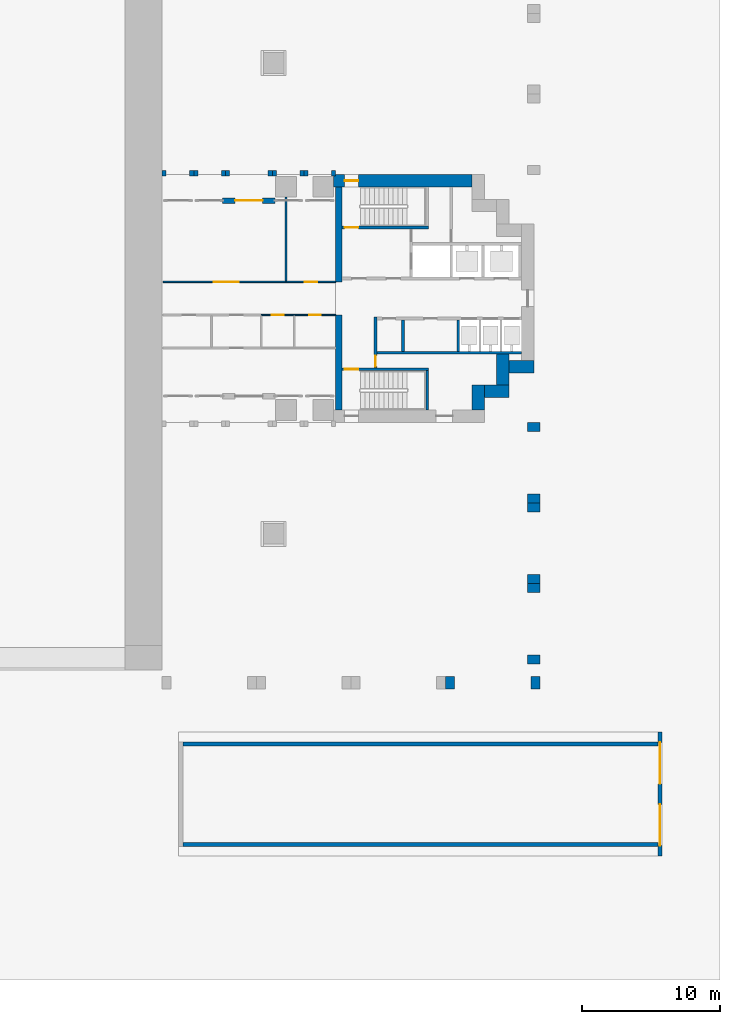
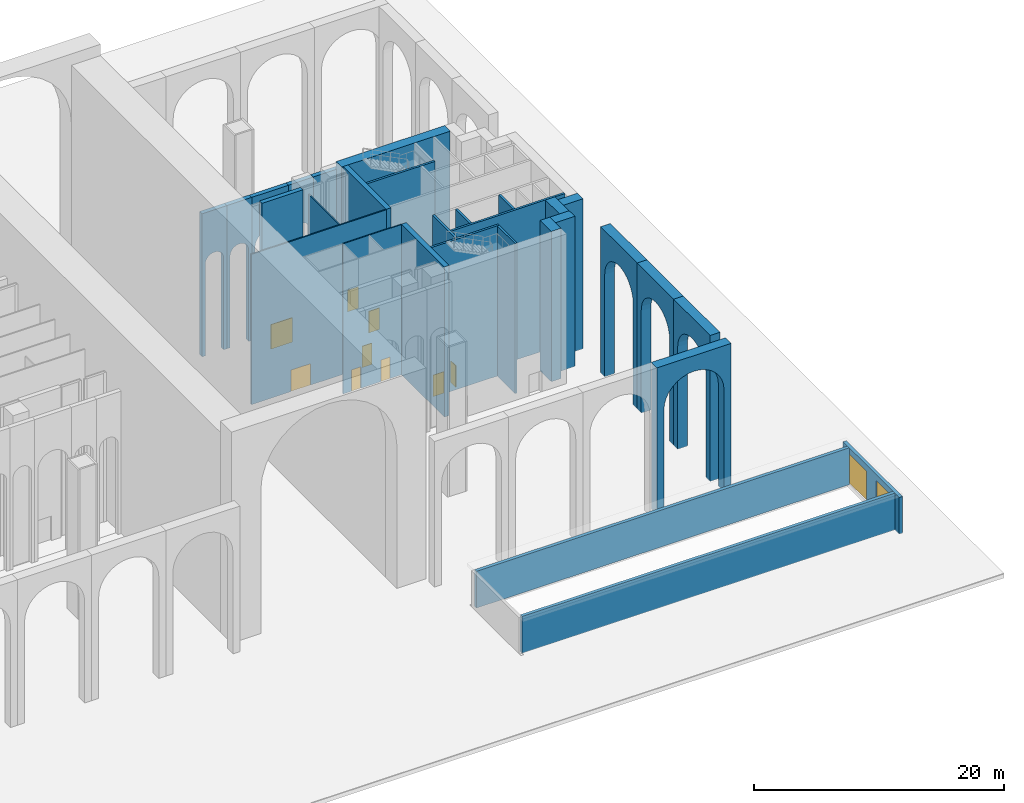
# One storey, part 8 of 18: 30 walls, 11 doors, 11 openings.
"""IFC4 building model written with IfcOpenShell, lengths in metres."""

from ifc_helpers import new_model, si_unit, direction, frame, frame_2d, origin, place, context, subcontext, project, spatial, polyline, rectangle, outline, extrude, material, layer, layer_set, type_object, element, fill, save


model = new_model("IFC4")

# Units and contexts
model_context = context("Model", 3, precision=1e-05, world=origin(), true_north=direction((0.0, 1.0)))
body_context = subcontext(model_context, "Body", "Model", "MODEL_VIEW")
ifc_project = project(units=[si_unit("LENGTHUNIT", "METRE"), si_unit("AREAUNIT", "SQUARE_METRE"), si_unit("VOLUMEUNIT", "CUBIC_METRE"), si_unit("PLANEANGLEUNIT", "RADIAN"), si_unit("MASSUNIT", "GRAM", prefix="KILO")], contexts=[model_context])

# Site, building, storey
site_placement = place(None, origin())
site = spatial("IfcSite", under=ifc_project, at=site_placement, CompositionType="ELEMENT")
building_placement = place(site_placement, origin())
building = spatial("IfcBuilding", under=site, at=building_placement, Name="Perihelion Cross Residences", CompositionType="ELEMENT")
storey_placement = place(building_placement, origin())
storey = spatial("IfcBuildingStorey", under=building, at=storey_placement, Name="L00", CompositionType="ELEMENT", Elevation=0.0)

# Walls
ifc_material_1 = material(Name="Concrete C40/50, bronze-clad", Category="concrete")
ifc_layer_1 = layer(ifc_material_1, 0.39990234375)
ifc_layer_set_1 = layer_set([ifc_layer_1], Name="Arcade wall 400, arched bay")
wall_type_1 = type_object("IfcWallType", Name="Arcade wall 400, arched bay", PredefinedType="SOLIDWALL", material=ifc_layer_set_1)
for number, where, z_axis, x_axis, name in (
    (1, (21.60009765625, 8.89990234375, 0.0), (0.0, 1.0, 0.0), (-1.0, 0.0, 0.0), "Wall AR1 L00 arcade east bay 1 no. 1"),
    (2, (19.300048828125, 8.89990234375, 0.0), (0.0, 1.0, 0.0), (-1.0, 0.0, 0.0), "Wall AR1 L00 arcade east bay 2 no. 1"),
):
    element("IfcWall", number, at=place(storey_placement, frame(where, z_axis=z_axis, x_axis=x_axis)), inside=storey, type_object=wall_type_1, Name=name, PredefinedType="SOLIDWALL", context=body_context, shape_type="SweptSolid", body=[
        extrude(outline(polyline([(0.0, 0.0), (0.300048828125, 0.0), (0.300048828125, 9.0), (0.31640625, 9.165771484375), (0.36474609375, 9.3251953125), (0.443359375, 9.47216796875), (0.549072265625, 9.60107421875), (0.677734375, 9.706787109375), (0.82470703125, 9.785400390625), (0.984130859375, 9.833740234375), (1.14990234375, 9.85009765625), (1.31591796875, 9.833740234375), (1.475341796875, 9.785400390625), (1.622314453125, 9.706787109375), (1.7509765625, 9.60107421875), (1.856689453125, 9.47216796875), (1.935302734375, 9.3251953125), (1.983642578125, 9.165771484375), (2.0, 9.0), (2.0, 0.0), (2.300048828125, 0.0), (2.300048828125, 14.0), (0.0, 14.0), (0.0, 0.0)])), origin(), (0.0, 0.0, 1.0), 0.400146484375),
    ])
wall_1_placement = place(storey_placement, frame((17.0, 8.89990234375, 0.0), z_axis=(0.0, 1.0, 0.0), x_axis=(-1.0, 0.0, 0.0)))
element("IfcWall", 3, at=wall_1_placement, inside=storey, type_object=wall_type_1, Name="Wall AR1 L00 arcade east bay 3 no. 1", PredefinedType="SOLIDWALL", context=body_context, shape_type="SweptSolid", body=[
    extrude(outline(polyline([(0.0, 0.0), (0.300048828125, 0.0), (0.300048828125, 9.0), (0.326904296875, 9.273193359375), (0.406494140625, 9.53564453125), (0.535888671875, 9.77783203125), (0.7099609375, 9.989990234375), (0.922119140625, 10.1640625), (1.164306640625, 10.29345703125), (1.4267578125, 10.373046875), (1.699951171875, 10.39990234375), (1.97314453125, 10.373046875), (2.23583984375, 10.29345703125), (2.477783203125, 10.1640625), (2.68994140625, 9.989990234375), (2.864013671875, 9.77783203125), (2.993408203125, 9.53564453125), (3.072998046875, 9.273193359375), (3.10009765625, 9.0), (3.10009765625, 0.0), (3.39990234375, 0.0), (3.39990234375, 14.0), (0.0, 14.0), (0.0, 0.0)])), origin(), (0.0, 0.0, 1.0), 0.400146484375),
])
for number, where, z_axis, x_axis, name in (
    (4, (13.60009765625, 8.89990234375, 0.0), (0.0, 1.0, 0.0), (-1.0, 0.0, 0.0), "Wall AR1 L00 arcade east bay 4 no. 1"),
    (5, (11.300048828125, 8.89990234375, 0.0), (0.0, 1.0, 0.0), (-1.0, 0.0, 0.0), "Wall AR1 L00 arcade east bay 5 no. 1"),
):
    element("IfcWall", number, at=place(storey_placement, frame(where, z_axis=z_axis, x_axis=x_axis)), inside=storey, type_object=wall_type_1, Name=name, PredefinedType="SOLIDWALL", context=body_context, shape_type="SweptSolid", body=[
        extrude(outline(polyline([(0.0, 0.0), (0.300048828125, 0.0), (0.300048828125, 9.0), (0.31640625, 9.165771484375), (0.36474609375, 9.3251953125), (0.443359375, 9.47216796875), (0.549072265625, 9.60107421875), (0.677734375, 9.706787109375), (0.82470703125, 9.785400390625), (0.984130859375, 9.833740234375), (1.14990234375, 9.85009765625), (1.31591796875, 9.833740234375), (1.475341796875, 9.785400390625), (1.622314453125, 9.706787109375), (1.7509765625, 9.60107421875), (1.856689453125, 9.47216796875), (1.935302734375, 9.3251953125), (1.983642578125, 9.165771484375), (2.0, 9.0), (2.0, 0.0), (2.300048828125, 0.0), (2.300048828125, 14.0), (0.0, 14.0), (0.0, 0.0)])), origin(), (0.0, 0.0, 1.0), 0.400146484375),
    ])
ifc_material_2 = material(Name="Concrete C60/75", Category="concrete")
ifc_layer_2 = layer(ifc_material_2, 0.449951171875)
ifc_layer_set_2 = layer_set([ifc_layer_2], Name="Core wall, inner 450")
wall_type_2 = type_object("IfcWallType", Name="Core wall, inner 450", PredefinedType="SHEAR", material=ifc_layer_set_2)
for number, where, z_axis, x_axis, name in (
    (6, (21.824951171875, -8.10009765625, 0.0), (0.0, 0.0, 1.0), (0.0, 1.0, 0.0), "East core core wall, inner"),
    (7, (21.824951171875, 1.199951171875, 0.0), (0.0, 0.0, 1.0), (0.0, 1.0, 0.0), "East core core wall, inner"),
):
    element("IfcWall", number, at=place(storey_placement, frame(where, z_axis=z_axis, x_axis=x_axis)), inside=storey, type_object=wall_type_2, Name=name, PredefinedType="SHEAR", context=body_context, shape_type="SweptSolid", body=[
        extrude(rectangle(XDim=6.900146484375, YDim=0.449951171875, at=frame_2d((3.4501953125, 0.0))), origin(), (0.0, 0.0, 1.0), 14.699951171875),
    ])
ifc_material_3 = material(Name="Concrete C60/75", Category="concrete")
ifc_layer_3 = layer(ifc_material_3, 0.89990234375)
ifc_layer_set_3 = layer_set([ifc_layer_3], Name="Core wall, outer 900")
wall_type_3 = type_object("IfcWallType", Name="Core wall, outer 900", PredefinedType="SHEAR", material=ifc_layer_set_3)
for number, where, z_axis, x_axis, name in (
    (8, (31.949951171875, -8.10009765625, 0.0), (0.0, 0.0, 1.0), (0.0, 1.0, 0.0), "East core core wall, outer"),
    (9, (32.39990234375, -6.75, 0.0), (0.0, 0.0, 1.0), (1.0, 0.0, 0.0), "East core core wall, outer"),
):
    element("IfcWall", number, at=place(storey_placement, frame(where, z_axis=z_axis, x_axis=x_axis)), inside=storey, type_object=wall_type_3, Name=name, PredefinedType="SHEAR", context=body_context, shape_type="SweptSolid", body=[
        extrude(rectangle(XDim=1.800048828125, YDim=0.89990234375, at=frame_2d((0.89990234375, 0.0))), origin(), (0.0, 0.0, 1.0), 14.699951171875),
    ])
wall_2_placement = place(storey_placement, frame((33.75, -6.300048828125, 0.0), z_axis=(0.0, 0.0, 1.0), x_axis=(0.0, 1.0, 0.0)))
element("IfcWall", 10, at=wall_2_placement, inside=storey, type_object=wall_type_3, Name="East core core wall, outer", PredefinedType="SHEAR", context=body_context, shape_type="SweptSolid", body=[
    extrude(rectangle(XDim=2.25, YDim=0.89990234375, at=frame_2d((1.125, 0.0))), origin(), (0.0, 0.0, 1.0), 14.699951171875),
])
wall_3_placement = place(storey_placement, frame((34.199951171875, -4.949951171875, 0.0), z_axis=(0.0, 0.0, 1.0), x_axis=(1.0, 0.0, 0.0)))
element("IfcWall", 11, at=wall_3_placement, inside=storey, type_object=wall_type_3, Name="East core core wall, outer", PredefinedType="SHEAR", context=body_context, shape_type="SweptSolid", body=[
    extrude(rectangle(XDim=1.800048828125, YDim=0.89990234375, at=frame_2d((0.89990234375, 0.0))), origin(), (0.0, 0.0, 1.0), 14.699951171875),
])

# Wall, opening, door
wall_4_placement = place(storey_placement, frame((21.449951171875, 8.550048828125, 0.0), z_axis=(0.0, 0.0, 1.0), x_axis=(1.0, 0.0, 0.0)))
wall_4 = element("IfcWall", 12, at=wall_4_placement, inside=storey, type_object=wall_type_3, Name="East core core wall, outer", PredefinedType="SHEAR", context=body_context, shape_type="SweptSolid", body=[
    extrude(rectangle(XDim=10.050048828125, YDim=0.89990234375, at=frame_2d((5.02490234375, 0.0))), origin(), (0.0, 0.0, 1.0), 14.699951171875),
])
opening_1_placement = place(wall_4_placement, frame((0.800048828125, 0.0, 0.0)))
opening_1 = element("IfcOpeningElement", 13, at=opening_1_placement, cuts=wall_4, Name="Opening L00.C10", PredefinedType="OPENING", context=body_context, shape_type="SweptSolid", body=[
    extrude(rectangle(XDim=1.0, YDim=2.10009765625, at=frame_2d((0.5, 1.050048828125))), frame((0.0, 0.4599609375, 0.0), z_axis=(0.0, -1.0, 0.0), x_axis=(1.0, 0.0, 0.0)), (0.0, 0.0, 1.0), 0.919921875),
])
ifc_material_4 = material(Name="Steel, powder coated", Category="steel")
door_type_1 = type_object("IfcDoorType", Name="Stair exit door 1000", OperationType="SINGLE_SWING_LEFT", PredefinedType="DOOR", material=ifc_material_4)
door_1_placement = place(opening_1_placement, origin())
door_1 = element("IfcDoor", 14, at=door_1_placement, inside=storey, type_object=door_type_1, Name="East core stair exit door", OperationType="SINGLE_SWING_LEFT", OverallHeight=2.10009765625, OverallWidth=1.0, PredefinedType="DOOR", context=body_context, shape_type="SweptSolid", body=[
    extrude(rectangle(XDim=1.0, YDim=2.10009765625, at=frame_2d((0.5, 1.050048828125))), frame((0.0, 0.02490234375, 0.0), z_axis=(0.0, -1.0, 0.0), x_axis=(1.0, 0.0, 0.0)), (0.0, 0.0, 1.0), 0.050048828125),
])
fill(opening_1, door_1)

ifc_material_5 = material(Name="Concrete C40/50, bronze-clad", Category="concrete")
ifc_layer_4 = layer(ifc_material_5, 0.39990234375)
ifc_layer_set_4 = layer_set([ifc_layer_4], Name="Entrance portal wall 400")
wall_type_4 = type_object("IfcWallType", Name="Entrance portal wall 400", PredefinedType="SOLIDWALL", material=ifc_layer_set_4)
wall_5_placement = place(storey_placement, frame((17.199951171875, 7.10009765625, 0.0), z_axis=(0.0, 0.0, 1.0), x_axis=(-1.0, 0.0, 0.0)))
wall_5 = element("IfcWall", 15, at=wall_5_placement, inside=storey, type_object=wall_type_4, Name="Wall FW3 L00 arcade east bay 3 portal no. 1", PredefinedType="SOLIDWALL", context=body_context, shape_type="SweptSolid", body=[
    extrude(rectangle(XDim=3.800048828125, YDim=0.39990234375, at=frame_2d((1.89990234375, 0.0))), origin(), (0.0, 0.0, 1.0), 14.699951171875),
])
opening_2_placement = place(wall_5_placement, frame((0.89990234375, 0.0, 0.0)))
opening_2 = element("IfcOpeningElement", 16, at=opening_2_placement, cuts=wall_5, Name="Opening L00.E01", PredefinedType="OPENING", context=body_context, shape_type="SweptSolid", body=[
    extrude(rectangle(XDim=2.0, YDim=2.39990234375, at=frame_2d((1.0, 1.199951171875))), frame((0.0, 0.2099609375, 0.0), z_axis=(0.0, -1.0, 0.0), x_axis=(1.0, 0.0, 0.0)), (0.0, 0.0, 1.0), 0.419921875),
])
ifc_material_6 = material(Name="Bronze anodised aluminium, glazed", Category="aluminium")
door_type_2 = type_object("IfcDoorType", Name="Entrance door pair 2000 x 2400", OperationType="NOTDEFINED", PredefinedType="DOOR", material=ifc_material_6)
door_2_placement = place(opening_2_placement, origin())
door_2 = element("IfcDoor", 17, at=door_2_placement, inside=storey, type_object=door_type_2, Name="Door L00.E01 arcade east bay 3 entrance no. 1", OperationType="DOUBLE_DOOR_SINGLE_SWING", OverallHeight=2.39990234375, OverallWidth=2.0, PredefinedType="DOOR", context=body_context, shape_type="SweptSolid", body=[
    extrude(rectangle(XDim=2.0, YDim=2.39990234375, at=frame_2d((1.0, 1.199951171875))), frame((0.0, 0.02490234375, 0.0), z_axis=(0.0, -1.0, 0.0), x_axis=(1.0, 0.0, 0.0)), (0.0, 0.0, 1.0), 0.050048828125),
])
fill(opening_2, door_2)

# Wall, openings, doors
ifc_material_7 = material(Name="Concrete C40/50", Category="concrete")
ifc_layer_5 = layer(ifc_material_7, 0.300048828125)
ifc_layer_set_5 = layer_set([ifc_layer_5], Name="Gate wall 300")
wall_type_5 = type_object("IfcWallType", Name="Gate wall 300", PredefinedType="SOLIDWALL", material=ifc_layer_set_5)
wall_6_placement = place(storey_placement, frame((45.14990234375, -40.5, 0.0), z_axis=(0.0, 0.0, 1.0), x_axis=(0.0, 1.0, 0.0)))
wall_6 = element("IfcWall", 18, at=wall_6_placement, inside=storey, type_object=wall_type_5, Name="Vehicle gate wall", PredefinedType="SOLIDWALL", context=body_context, shape_type="SweptSolid", body=[
    extrude(rectangle(XDim=9.0, YDim=0.300048828125, at=frame_2d((4.5, 0.0))), origin(), (0.0, 0.0, 1.0), 3.60009765625),
])
opening_3_placement = place(wall_6_placement, frame((0.75, 0.0, 0.0)))
opening_3 = element("IfcOpeningElement", 19, at=opening_3_placement, cuts=wall_6, Name="Opening L00.B01", PredefinedType="OPENING", context=body_context, shape_type="SweptSolid", body=[
    extrude(rectangle(XDim=3.0, YDim=3.0, at=frame_2d((1.5, 1.5))), frame((0.0, 0.159912109375, 0.0), z_axis=(0.0, -1.0, 0.0), x_axis=(1.0, 0.0, 0.0)), (0.0, 0.0, 1.0), 0.320068359375),
])
opening_4_placement = place(wall_6_placement, frame((5.25, 0.0, 0.0)))
opening_4 = element("IfcOpeningElement", 20, at=opening_4_placement, cuts=wall_6, Name="Opening L00.B02", PredefinedType="OPENING", context=body_context, shape_type="SweptSolid", body=[
    extrude(rectangle(XDim=3.0, YDim=3.0, at=frame_2d((1.5, 1.5))), frame((0.0, 0.159912109375, 0.0), z_axis=(0.0, -1.0, 0.0), x_axis=(1.0, 0.0, 0.0)), (0.0, 0.0, 1.0), 0.320068359375),
])
ifc_material_8 = material(Name="Galvanised steel", Category="steel")
door_type_3 = type_object("IfcDoorType", Name="Rolling shutter gate 3000 x 3000", OperationType="ROLLINGUP", PredefinedType="GATE", material=ifc_material_8)
door_3_placement = place(opening_3_placement, origin())
door_3 = element("IfcDoor", 21, at=door_3_placement, inside=storey, type_object=door_type_3, Name="Vehicle gate entry", OperationType="SINGLE_SWING_LEFT", OverallHeight=3.0, OverallWidth=3.0, PredefinedType="GATE", context=body_context, shape_type="SweptSolid", body=[
    extrude(rectangle(XDim=3.0, YDim=3.0, at=frame_2d((1.5, 1.5))), frame((0.0, 0.02490234375, 0.0), z_axis=(0.0, -1.0, 0.0), x_axis=(1.0, 0.0, 0.0)), (0.0, 0.0, 1.0), 0.050048828125),
])
fill(opening_3, door_3)
door_4_placement = place(opening_4_placement, origin())
door_4 = element("IfcDoor", 22, at=door_4_placement, inside=storey, type_object=door_type_3, Name="Vehicle gate exit", OperationType="SINGLE_SWING_LEFT", OverallHeight=3.0, OverallWidth=3.0, PredefinedType="GATE", context=body_context, shape_type="SweptSolid", body=[
    extrude(rectangle(XDim=3.0, YDim=3.0, at=frame_2d((1.5, 1.5))), frame((0.0, 0.02490234375, 0.0), z_axis=(0.0, -1.0, 0.0), x_axis=(1.0, 0.0, 0.0)), (0.0, 0.0, 1.0), 0.050048828125),
])
fill(opening_4, door_4)

# Wall, opening, door
ifc_material_9 = material(Name="Concrete C50/60", Category="concrete")
ifc_layer_6 = layer(ifc_material_9, 0.199951171875)
ifc_layer_set_6 = layer_set([ifc_layer_6], Name="Lobby wall 200")
wall_type_6 = type_object("IfcWallType", Name="Lobby wall 200", PredefinedType="SOLIDWALL", material=ifc_layer_set_6)
wall_7_placement = place(storey_placement, frame((24.5, -5.050048828125, 0.0), z_axis=(0.0, 0.0, 1.0), x_axis=(0.0, 1.0, 0.0)))
wall_7 = element("IfcWall", 23, at=wall_7_placement, inside=storey, type_object=wall_type_6, Name="East core lobby wall", PredefinedType="SOLIDWALL", context=body_context, shape_type="SweptSolid", body=[
    extrude(rectangle(XDim=3.699951171875, YDim=0.199951171875, at=frame_2d((1.85009765625, 0.0))), origin(), (0.0, 0.0, 1.0), 14.699951171875),
])
opening_5_placement = place(wall_7_placement, frame((0.10009765625, 0.0, 0.0)))
opening_5 = element("IfcOpeningElement", 24, at=opening_5_placement, cuts=wall_7, Name="Opening L00.C12", PredefinedType="OPENING", context=body_context, shape_type="SweptSolid", body=[
    extrude(rectangle(XDim=0.800048828125, YDim=2.10009765625, at=frame_2d((0.39990234375, 1.050048828125))), frame((0.0, 0.10986328125, 0.0), z_axis=(0.0, -1.0, 0.0), x_axis=(1.0, 0.0, 0.0)), (0.0, 0.0, 1.0), 0.219970703125),
])
ifc_material_10 = material(Name="Steel, powder coated", Category="steel")
door_type_4 = type_object("IfcDoorType", Name="Riser door 800", OperationType="SINGLE_SWING_LEFT", PredefinedType="DOOR", material=ifc_material_10)
door_5_placement = place(opening_5_placement, origin())
door_5 = element("IfcDoor", 25, at=door_5_placement, inside=storey, type_object=door_type_4, Name="East core riser door", OperationType="SINGLE_SWING_LEFT", OverallHeight=2.10009765625, OverallWidth=0.800048828125, PredefinedType="DOOR", context=body_context, shape_type="SweptSolid", body=[
    extrude(rectangle(XDim=0.800048828125, YDim=2.10009765625, at=frame_2d((0.39990234375, 1.050048828125))), frame((0.0, 0.02490234375, 0.0), z_axis=(0.0, -1.0, 0.0), x_axis=(1.0, 0.0, 0.0)), (0.0, 0.0, 1.0), 0.050048828125),
])
fill(opening_5, door_5)

# Walls
ifc_material_11 = material(Name="Concrete C50/60", Category="concrete")
ifc_layer_7 = layer(ifc_material_11, 0.89990234375)
ifc_layer_set_7 = layer_set([ifc_layer_7], Name="Loggia arcade wall 900, arched bay")
wall_type_7 = type_object("IfcWallType", Name="Loggia arcade wall 900, arched bay", PredefinedType="SOLIDWALL", material=ifc_layer_set_7)
wall_8_placement = place(storey_placement, frame((29.58740234375, -27.449951171875, 0.0), z_axis=(0.0, -1.0, 0.0), x_axis=(1.0, 0.0, 0.0)))
element("IfcWall", 26, at=wall_8_placement, inside=storey, type_object=wall_type_7, Name="Wall AR3 L00 loggia south-east north-south bay 4", PredefinedType="SOLIDWALL", context=body_context, shape_type="SweptSolid", body=[
    extrude(outline(polyline([(0.0, 0.0), (0.64990234375, 0.0), (0.64990234375, 10.0), (0.703369140625, 10.54248046875), (0.86181640625, 11.064453125), (1.11865234375, 11.545166015625), (1.464599609375, 11.966552734375), (1.885986328125, 12.3125), (2.366943359375, 12.569580078125), (2.888671875, 12.727783203125), (3.43115234375, 12.78125), (3.973876953125, 12.727783203125), (4.49560546875, 12.569580078125), (4.976318359375, 12.3125), (5.39794921875, 11.966552734375), (5.743896484375, 11.545166015625), (6.000732421875, 11.064453125), (6.1591796875, 10.54248046875), (6.21240234375, 10.0), (6.21240234375, 0.0), (6.862548828125, 0.0), (6.862548828125, 14.300048828125), (0.0, 14.300048828125), (0.0, 0.0)])), origin(), (0.0, 0.0, 1.0), 0.900146484375),
])
for number, where, z_axis, x_axis, name in (
    (27, (35.550048828125, -26.550048828125, 0.0), (1.0, 0.0, 0.0), (0.0, 1.0, 0.0), "Wall AR3 L00 loggia south-east east-west bay 1"),
    (28, (35.550048828125, -20.699951171875, 0.0), (1.0, 0.0, 0.0), (0.0, 1.0, 0.0), "Wall AR3 L00 loggia south-east east-west bay 2"),
    (29, (35.550048828125, -14.85009765625, 0.0), (1.0, 0.0, 0.0), (0.0, 1.0, 0.0), "Wall AR3 L00 loggia south-east east-west bay 3"),
):
    element("IfcWall", number, at=place(storey_placement, frame(where, z_axis=z_axis, x_axis=x_axis)), inside=storey, type_object=wall_type_7, Name=name, PredefinedType="SOLIDWALL", context=body_context, shape_type="SweptSolid", body=[
        extrude(outline(polyline([(0.0, 0.0), (0.64990234375, 0.0), (0.64990234375, 10.0), (0.693603515625, 10.44384765625), (0.8232421875, 10.87060546875), (1.033447265625, 11.263916015625), (1.31640625, 11.608642578125), (1.6611328125, 11.8916015625), (2.054443359375, 12.101806640625), (2.481201171875, 12.231201171875), (2.925048828125, 12.27490234375), (3.368896484375, 12.231201171875), (3.795654296875, 12.101806640625), (4.18896484375, 11.8916015625), (4.53369140625, 11.608642578125), (4.816650390625, 11.263916015625), (5.02685546875, 10.87060546875), (5.15625, 10.44384765625), (5.199951171875, 10.0), (5.199951171875, 0.0), (5.85009765625, 0.0), (5.85009765625, 14.300048828125), (0.0, 14.300048828125), (0.0, 0.0)])), origin(), (0.0, 0.0, 1.0), 0.89990234375),
    ])

# Wall, openings, doors
ifc_material_12 = material(Name="Plasterboard partition")
ifc_layer_8 = layer(ifc_material_12, 0.1201171875)
ifc_layer_set_8 = layer_set([ifc_layer_8], Name="Partition wall 120")
wall_type_8 = type_object("IfcWallType", Name="Partition wall 120", PredefinedType="PARTITIONING", material=ifc_layer_set_8)
wall_9_placement = place(storey_placement, frame((9.080078125, 1.199951171875, 0.0), z_axis=(0.0, 0.0, 1.0), x_axis=(1.0, 0.0, 0.0)))
wall_9 = element("IfcWall", 30, at=wall_9_placement, inside=storey, type_object=wall_type_8, Name="Partition L00 W001", PredefinedType="PARTITIONING", context=body_context, shape_type="SweptSolid", body=[
    extrude(rectangle(XDim=12.52001953125, YDim=0.1201171875, at=frame_2d((6.260009765625, 0.0))), origin(), (0.0, 0.0, 1.0), 14.699951171875),
])
opening_6_placement = place(wall_9_placement, frame((3.669921875, 0.0, 0.0)))
opening_6 = element("IfcOpeningElement", 31, at=opening_6_placement, cuts=wall_9, Name="Opening L00.A01", PredefinedType="OPENING", context=body_context, shape_type="SweptSolid", body=[
    extrude(rectangle(XDim=1.800048828125, YDim=2.10009765625, at=frame_2d((0.89990234375, 1.050048828125))), frame((0.0, 0.070068359375, 0.0), z_axis=(0.0, -1.0, 0.0), x_axis=(1.0, 0.0, 0.0)), (0.0, 0.0, 1.0), 0.14013671875),
])
opening_7_placement = place(wall_9_placement, frame((10.27001953125, 0.0, 0.0)))
opening_7 = element("IfcOpeningElement", 32, at=opening_7_placement, cuts=wall_9, Name="Opening L00.A02", PredefinedType="OPENING", context=body_context, shape_type="SweptSolid", body=[
    extrude(rectangle(XDim=0.89990234375, YDim=2.10009765625, at=frame_2d((0.449951171875, 1.050048828125))), frame((0.0, 0.070068359375, 0.0), z_axis=(0.0, -1.0, 0.0), x_axis=(1.0, 0.0, 0.0)), (0.0, 0.0, 1.0), 0.14013671875),
])
ifc_material_13 = material(Name="Glazed timber door leaf", Category="wood")
door_type_5 = type_object("IfcDoorType", Name="Interior double leaf door 1800 x 2100", OperationType="DOUBLE_DOOR_SINGLE_SWING", PredefinedType="DOOR", material=ifc_material_13)
door_6_placement = place(opening_6_placement, origin())
door_6 = element("IfcDoor", 33, at=door_6_placement, inside=storey, type_object=door_type_5, Name="Door L00.A01", OperationType="SINGLE_SWING_LEFT", OverallHeight=2.10009765625, OverallWidth=1.800048828125, PredefinedType="DOOR", context=body_context, shape_type="SweptSolid", body=[
    extrude(rectangle(XDim=1.800048828125, YDim=2.10009765625, at=frame_2d((0.89990234375, 1.050048828125))), frame((0.0, 0.02490234375, 0.0), z_axis=(0.0, -1.0, 0.0), x_axis=(1.0, 0.0, 0.0)), (0.0, 0.0, 1.0), 0.050048828125),
])
fill(opening_6, door_6)
ifc_material_14 = material(Name="Timber door leaf", Category="wood")
door_type_6 = type_object("IfcDoorType", Name="Interior room door 900 x 2100", OperationType="SINGLE_SWING_LEFT", PredefinedType="DOOR", material=ifc_material_14)
door_7_placement = place(opening_7_placement, origin())
door_7 = element("IfcDoor", 34, at=door_7_placement, inside=storey, type_object=door_type_6, Name="Door L00.A02", OperationType="SINGLE_SWING_RIGHT", OverallHeight=2.10009765625, OverallWidth=0.89990234375, PredefinedType="DOOR", context=body_context, shape_type="SweptSolid", body=[
    extrude(rectangle(XDim=0.89990234375, YDim=2.10009765625, at=frame_2d((0.449951171875, 1.050048828125))), frame((0.0, 0.02490234375, 0.0), z_axis=(0.0, -1.0, 0.0), x_axis=(1.0, 0.0, 0.0)), (0.0, 0.0, 1.0), 0.050048828125),
])
fill(opening_7, door_7)

# Walls
wall_10_placement = place(storey_placement, frame((18.0, 7.35009765625, 0.0), z_axis=(0.0, 0.0, 1.0), x_axis=(0.0, -1.0, 0.0)))
element("IfcWall", 35, at=wall_10_placement, inside=storey, type_object=wall_type_8, Name="Partition L00 W008", PredefinedType="PARTITIONING", context=body_context, shape_type="SweptSolid", body=[
    extrude(rectangle(XDim=6.090087890625, YDim=0.1201171875, at=frame_2d((3.044921875, 0.0))), origin(), (0.0, 0.0, 1.0), 13.719970703125),
])
ifc_material_15 = material(Name="Concrete C40/50", Category="concrete")
ifc_layer_9 = layer(ifc_material_15, 0.300048828125)
ifc_layer_set_9 = layer_set([ifc_layer_9], Name="Ramp house wall 300")
wall_type_9 = type_object("IfcWallType", Name="Ramp house wall 300", PredefinedType="SOLIDWALL", material=ifc_layer_set_9)
for number, where, z_axis, x_axis, name in (
    (36, (10.5, -39.64990234375, 0.0), (0.0, 0.0, 1.0), (1.0, 0.0, 0.0), "Ramp house wall s"),
    (37, (10.5, -32.35009765625, 0.0), (0.0, 0.0, 1.0), (1.0, 0.0, 0.0), "Ramp house wall n"),
):
    element("IfcWall", number, at=place(storey_placement, frame(where, z_axis=z_axis, x_axis=x_axis)), inside=storey, type_object=wall_type_9, Name=name, PredefinedType="SOLIDWALL", context=body_context, shape_type="SweptSolid", body=[
        extrude(rectangle(XDim=34.5, YDim=0.300048828125, at=frame_2d((17.25, 0.0))), origin(), (0.0, 0.0, 1.0), 3.60009765625),
    ])
ifc_material_16 = material(Name="Fire-rated board on steel stud", Category="steel")
ifc_layer_10 = layer(ifc_material_16, 0.199951171875)
ifc_layer_set_10 = layer_set([ifc_layer_10], Name="Riser wall 200")
wall_type_10 = type_object("IfcWallType", Name="Riser wall 200", PredefinedType="PARTITIONING", material=ifc_layer_set_10)
wall_11_placement = place(storey_placement, frame((26.5, -3.85009765625, 0.0), z_axis=(0.0, 0.0, 1.0), x_axis=(0.0, 1.0, 0.0)))
element("IfcWall", 38, at=wall_11_placement, inside=storey, type_object=wall_type_10, Name="East core riser wall", PredefinedType="PARTITIONING", context=body_context, shape_type="SweptSolid", body=[
    extrude(rectangle(XDim=2.300048828125, YDim=0.199951171875, at=frame_2d((1.14990234375, 0.0))), origin(), (0.0, 0.0, 1.0), 14.699951171875),
])
ifc_material_17 = material(Name="Concrete C50/60", Category="concrete")
ifc_layer_11 = layer(ifc_material_17, 0.199951171875)
ifc_layer_set_11 = layer_set([ifc_layer_11], Name="Shaft wall 200")
wall_type_11 = type_object("IfcWallType", Name="Shaft wall 200", PredefinedType="SOLIDWALL", material=ifc_layer_set_11)
wall_12_placement = place(storey_placement, frame((24.60009765625, -3.949951171875, 0.0), z_axis=(0.0, 0.0, 1.0), x_axis=(1.0, 0.0, 0.0)))
element("IfcWall", 39, at=wall_12_placement, inside=storey, type_object=wall_type_11, Name="East core shaft wall", PredefinedType="SOLIDWALL", context=body_context, shape_type="SweptSolid", body=[
    extrude(rectangle(XDim=10.5, YDim=0.199951171875, at=frame_2d((5.25, 0.0))), origin(), (0.0, 0.0, 1.0), 14.699951171875),
])
wall_13_placement = place(storey_placement, frame((30.5, -3.85009765625, 0.0), z_axis=(0.0, 0.0, 1.0), x_axis=(0.0, 1.0, 0.0)))
element("IfcWall", 40, at=wall_13_placement, inside=storey, type_object=wall_type_11, Name="East core shaft wall", PredefinedType="SOLIDWALL", context=body_context, shape_type="SweptSolid", body=[
    extrude(rectangle(XDim=2.300048828125, YDim=0.199951171875, at=frame_2d((1.14990234375, 0.0))), origin(), (0.0, 0.0, 1.0), 14.699951171875),
])

# Wall, opening, door
ifc_material_18 = material(Name="Concrete C50/60", Category="concrete")
ifc_layer_12 = layer(ifc_material_18, 0.199951171875)
ifc_layer_set_12 = layer_set([ifc_layer_12], Name="Stair wall 200")
wall_type_12 = type_object("IfcWallType", Name="Stair wall 200", PredefinedType="SOLIDWALL", material=ifc_layer_set_12)
wall_14_placement = place(storey_placement, frame((22.050048828125, 5.14990234375, 0.0), z_axis=(0.0, 0.0, 1.0), x_axis=(1.0, 0.0, 0.0)))
wall_14 = element("IfcWall", 41, at=wall_14_placement, inside=storey, type_object=wall_type_12, Name="East core stair wall", PredefinedType="SOLIDWALL", context=body_context, shape_type="SweptSolid", body=[
    extrude(rectangle(XDim=6.300048828125, YDim=0.199951171875, at=frame_2d((3.14990234375, 0.0))), origin(), (0.0, 0.0, 1.0), 14.699951171875),
])
opening_8_placement = place(wall_14_placement, frame((0.199951171875, 0.0, 0.0)))
opening_8 = element("IfcOpeningElement", 42, at=opening_8_placement, cuts=wall_14, Name="Opening L00.C09", PredefinedType="OPENING", context=body_context, shape_type="SweptSolid", body=[
    extrude(rectangle(XDim=1.0, YDim=2.10009765625, at=frame_2d((0.5, 1.050048828125))), frame((0.0, 0.10986328125, 0.0), z_axis=(0.0, -1.0, 0.0), x_axis=(1.0, 0.0, 0.0)), (0.0, 0.0, 1.0), 0.219970703125),
])
ifc_material_19 = material(Name="Steel, powder coated", Category="steel")
door_type_7 = type_object("IfcDoorType", Name="Stair door 1000", OperationType="SINGLE_SWING_LEFT", PredefinedType="DOOR", material=ifc_material_19)
door_8_placement = place(opening_8_placement, origin())
door_8 = element("IfcDoor", 43, at=door_8_placement, inside=storey, type_object=door_type_7, Name="East core stair door", OperationType="SINGLE_SWING_LEFT", OverallHeight=2.10009765625, OverallWidth=1.0, PredefinedType="DOOR", context=body_context, shape_type="SweptSolid", body=[
    extrude(rectangle(XDim=1.0, YDim=2.10009765625, at=frame_2d((0.5, 1.050048828125))), frame((0.0, 0.02490234375, 0.0), z_axis=(0.0, -1.0, 0.0), x_axis=(1.0, 0.0, 0.0)), (0.0, 0.0, 1.0), 0.050048828125),
])
fill(opening_8, door_8)

wall_15_placement = place(storey_placement, frame((22.050048828125, -5.14990234375, 0.0), z_axis=(0.0, 0.0, 1.0), x_axis=(1.0, 0.0, 0.0)))
wall_15 = element("IfcWall", 44, at=wall_15_placement, inside=storey, type_object=wall_type_12, Name="East core stair wall", PredefinedType="SOLIDWALL", context=body_context, shape_type="SweptSolid", body=[
    extrude(rectangle(XDim=6.300048828125, YDim=0.199951171875, at=frame_2d((3.14990234375, 0.0))), origin(), (0.0, 0.0, 1.0), 14.699951171875),
])
opening_9_placement = place(wall_15_placement, frame((0.199951171875, 0.0, 0.0)))
opening_9 = element("IfcOpeningElement", 45, at=opening_9_placement, cuts=wall_15, Name="Opening L00.C08", PredefinedType="OPENING", context=body_context, shape_type="SweptSolid", body=[
    extrude(rectangle(XDim=1.0, YDim=2.10009765625, at=frame_2d((0.5, 1.050048828125))), frame((0.0, 0.10986328125, 0.0), z_axis=(0.0, -1.0, 0.0), x_axis=(1.0, 0.0, 0.0)), (0.0, 0.0, 1.0), 0.219970703125),
])
door_9_placement = place(opening_9_placement, origin())
door_9 = element("IfcDoor", 46, at=door_9_placement, inside=storey, type_object=door_type_7, Name="East core stair door", OperationType="SINGLE_SWING_LEFT", OverallHeight=2.10009765625, OverallWidth=1.0, PredefinedType="DOOR", context=body_context, shape_type="SweptSolid", body=[
    extrude(rectangle(XDim=1.0, YDim=2.10009765625, at=frame_2d((0.5, 1.050048828125))), frame((0.0, 0.02490234375, 0.0), z_axis=(0.0, -1.0, 0.0), x_axis=(1.0, 0.0, 0.0)), (0.0, 0.0, 1.0), 0.050048828125),
])
fill(opening_9, door_9)

# Wall
wall_16_placement = place(storey_placement, frame((28.25, -8.10009765625, 0.0), z_axis=(0.0, 0.0, 1.0), x_axis=(0.0, 1.0, 0.0)))
element("IfcWall", 47, at=wall_16_placement, inside=storey, type_object=wall_type_12, Name="East core stair wall", PredefinedType="SOLIDWALL", context=body_context, shape_type="SweptSolid", body=[
    extrude(rectangle(XDim=2.85009765625, YDim=0.199951171875, at=frame_2d((1.425048828125, 0.0))), origin(), (0.0, 0.0, 1.0), 14.699951171875),
])

# Wall, openings, doors
ifc_material_20 = material(Name="Plasterboard partition")
ifc_layer_13 = layer(ifc_material_20, 0.10009765625)
ifc_layer_set_13 = layer_set([ifc_layer_13], Name="Wet room wall 100")
wall_type_13 = type_object("IfcWallType", Name="Wet room wall 100", PredefinedType="PARTITIONING", material=ifc_layer_set_13)
wall_17_placement = place(storey_placement, frame((21.60009765625, -1.199951171875, 0.0), z_axis=(0.0, 0.0, 1.0), x_axis=(-1.0, 0.0, 0.0)))
wall_17 = element("IfcWall", 48, at=wall_17_placement, inside=storey, type_object=wall_type_13, Name="Partition L00 W003", PredefinedType="PARTITIONING", context=body_context, shape_type="SweptSolid", body=[
    extrude(rectangle(XDim=5.400146484375, YDim=0.10009765625, at=frame_2d((2.7001953125, 0.0))), origin(), (0.0, 0.0, 1.0), 14.699951171875),
])
opening_10_placement = place(wall_17_placement, frame((3.77490234375, 0.0, 0.0)))
opening_10 = element("IfcOpeningElement", 49, at=opening_10_placement, cuts=wall_17, Name="Opening L00.A05", PredefinedType="OPENING", context=body_context, shape_type="SweptSolid", body=[
    extrude(rectangle(XDim=0.85009765625, YDim=2.10009765625, at=frame_2d((0.425048828125, 1.050048828125))), frame((0.0, 0.06005859375, 0.0), z_axis=(0.0, -1.0, 0.0), x_axis=(1.0, 0.0, 0.0)), (0.0, 0.0, 1.0), 0.1201171875),
])
opening_11_placement = place(wall_17_placement, frame((1.074951171875, 0.0, 0.0)))
opening_11 = element("IfcOpeningElement", 50, at=opening_11_placement, cuts=wall_17, Name="Opening L00.A06", PredefinedType="OPENING", context=body_context, shape_type="SweptSolid", body=[
    extrude(rectangle(XDim=0.85009765625, YDim=2.10009765625, at=frame_2d((0.425048828125, 1.050048828125))), frame((0.0, 0.06005859375, 0.0), z_axis=(0.0, -1.0, 0.0), x_axis=(1.0, 0.0, 0.0)), (0.0, 0.0, 1.0), 0.1201171875),
])
ifc_material_21 = material(Name="Timber door leaf", Category="wood")
door_type_8 = type_object("IfcDoorType", Name="Interior bathroom door 850 x 2100", OperationType="SINGLE_SWING_LEFT", PredefinedType="DOOR", material=ifc_material_21)
door_10_placement = place(opening_10_placement, origin())
door_10 = element("IfcDoor", 51, at=door_10_placement, inside=storey, type_object=door_type_8, Name="Door L00.A05", OperationType="SINGLE_SWING_LEFT", OverallHeight=2.10009765625, OverallWidth=0.85009765625, PredefinedType="DOOR", context=body_context, shape_type="SweptSolid", body=[
    extrude(rectangle(XDim=0.85009765625, YDim=2.10009765625, at=frame_2d((0.425048828125, 1.050048828125))), frame((0.0, 0.02490234375, 0.0), z_axis=(0.0, -1.0, 0.0), x_axis=(1.0, 0.0, 0.0)), (0.0, 0.0, 1.0), 0.050048828125),
])
fill(opening_10, door_10)
door_11_placement = place(opening_11_placement, origin())
door_11 = element("IfcDoor", 52, at=door_11_placement, inside=storey, type_object=door_type_8, Name="Door L00.A06", OperationType="SINGLE_SWING_RIGHT", OverallHeight=2.10009765625, OverallWidth=0.85009765625, PredefinedType="DOOR", context=body_context, shape_type="SweptSolid", body=[
    extrude(rectangle(XDim=0.85009765625, YDim=2.10009765625, at=frame_2d((0.425048828125, 1.050048828125))), frame((0.0, 0.02490234375, 0.0), z_axis=(0.0, -1.0, 0.0), x_axis=(1.0, 0.0, 0.0)), (0.0, 0.0, 1.0), 0.050048828125),
])
fill(opening_11, door_11)

save(model, "model.ifc")
